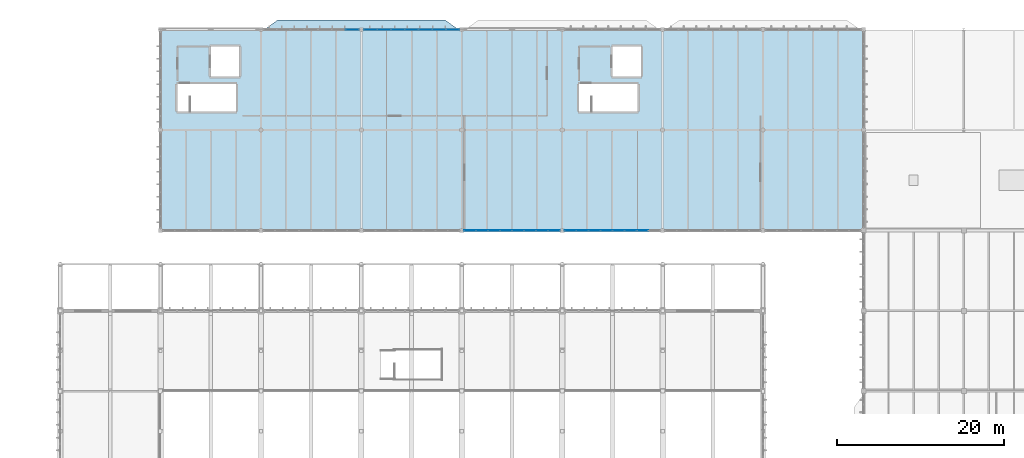
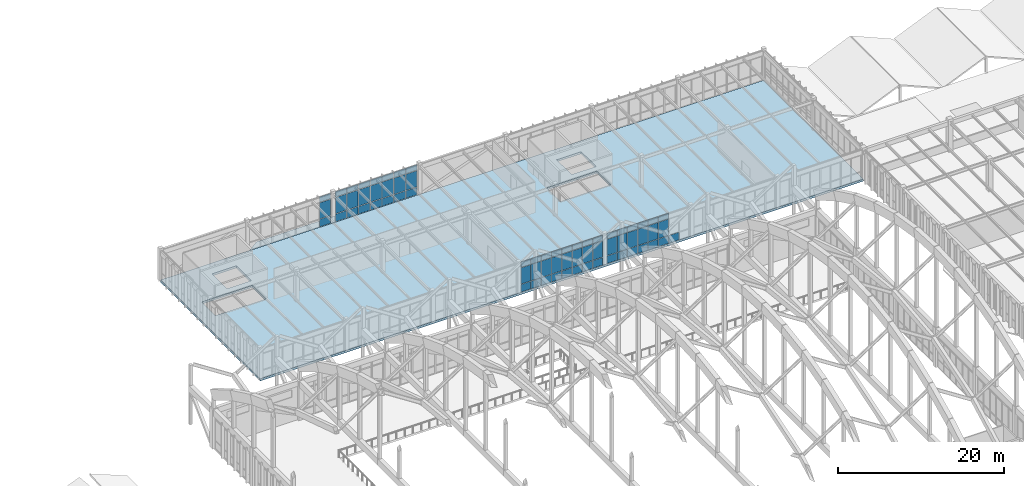
# One storey, part 197 of 236: 67 plates, 2 slabs, 4 elements without a shape of their own.
"""IFC4 building model written with IfcOpenShell, lengths in metres."""

from ifc_helpers import new_model, si_unit, direction, frame, origin, origin_2d, place, context, subcontext, project, spatial, polyline, rectangle, outline, extrude, material, layer, layer_set, type_object, element, aggregate, save


model = new_model("IFC4")

# Units and contexts
model_context = context("Model", 3, precision=1e-05, world=origin(), true_north=direction((0.0, 1.0)))
body_context = subcontext(model_context, "Body", "Model", "MODEL_VIEW")
ifc_project = project(units=[si_unit("LENGTHUNIT", "METRE"), si_unit("AREAUNIT", "SQUARE_METRE"), si_unit("VOLUMEUNIT", "CUBIC_METRE"), si_unit("PLANEANGLEUNIT", "RADIAN"), si_unit("MASSUNIT", "GRAM", prefix="KILO")], contexts=[model_context])

# Site, building, storey
site_placement = place(None, origin())
site = spatial("IfcSite", under=ifc_project, at=site_placement, CompositionType="ELEMENT")
building_placement = place(site_placement, origin())
building = spatial("IfcBuilding", under=site, at=building_placement, Name="Pandanus Reach Market Hall", CompositionType="ELEMENT")
storey_placement = place(building_placement, frame((0.0, 0.0, 5.39990234375)))
storey = spatial("IfcBuildingStorey", under=building, at=storey_placement, Name="L01", CompositionType="ELEMENT", Elevation=5.39990234375)

# Curtain wall, plates
ifc_material_1 = material(Name="Bronze anodised aluminium and low-E glass", Category="aluminium")
ifc_layer_1 = layer(ifc_material_1, 0.159912109375, Name="CW-39")
ifc_layer_set_1 = layer_set([ifc_layer_1], Name="Bronze anodised aluminium and low-E glass")
curtain_wall_type_1 = type_object("IfcCurtainWallType", Name="CW-39", PredefinedType="NOTDEFINED", material=ifc_layer_set_1)
curtain_wall_1_placement = place(storey_placement, origin())
curtain_wall_1 = element("IfcCurtainWall", 1, at=curtain_wall_1_placement, inside=storey, type_object=curtain_wall_type_1, Name="Glazed curtain wall CW-39 CW-0137", PredefinedType="NOTDEFINED")
ifc_material_2 = material(Name="Solar-control double glazing", Category="glass")
ifc_layer_2 = layer(ifc_material_2, 0.028076171875, Name="CW-P1")
ifc_layer_set_2 = layer_set([ifc_layer_2], Name="Solar-control double glazing")
plate_type = type_object("IfcPlateType", Name="CW-P1", PredefinedType="CURTAIN_PANEL", material=ifc_layer_set_2)
plate_1_placement = place(storey_placement, frame((82.912353515625, 120.0, 0.065185546875), z_axis=(0.0, 0.0, 1.0), x_axis=(1.0, 0.0, 0.0)))
plate_1 = element("IfcPlate", 2, at=plate_1_placement, type_object=plate_type, Name="CW-39 panel 7.1", PredefinedType="CURTAIN_PANEL", context=body_context, shape_type="SweptSolid", body=[
    extrude(rectangle(XDim=1.54541015625, YDim=0.028076171875, at=origin_2d()), origin(), (0.0, 0.0, 1.0), 1.1025390625),
])
plate_2_placement = place(storey_placement, frame((82.912353515625, 120.0, 1.232421875), z_axis=(0.0, 0.0, 1.0), x_axis=(1.0, 0.0, 0.0)))
plate_2 = element("IfcPlate", 3, at=plate_2_placement, type_object=plate_type, Name="CW-39 panel 7.2", PredefinedType="CURTAIN_PANEL", context=body_context, shape_type="SweptSolid", body=[
    extrude(rectangle(XDim=1.54541015625, YDim=0.028076171875, at=origin_2d()), origin(), (0.0, 0.0, 1.0), 2.385009765625),
])
plate_3_placement = place(storey_placement, frame((82.912353515625, 120.0, 3.6826171875), z_axis=(0.0, 0.0, 1.0), x_axis=(1.0, 0.0, 0.0)))
plate_3 = element("IfcPlate", 4, at=plate_3_placement, type_object=plate_type, Name="CW-39 panel 7.3", PredefinedType="CURTAIN_PANEL", context=body_context, shape_type="SweptSolid", body=[
    extrude(rectangle(XDim=1.54541015625, YDim=0.028076171875, at=origin_2d()), origin(), (0.0, 0.0, 1.0), 0.802490234375),
])
aggregate(curtain_wall_1, [plate_1, plate_2, plate_3])

curtain_wall_2_placement = place(storey_placement, origin())
curtain_wall_2 = element("IfcCurtainWall", 5, at=curtain_wall_2_placement, inside=storey, type_object=curtain_wall_type_1, Name="Glazed curtain wall CW-39 CW-0139", PredefinedType="NOTDEFINED")
plate_4_placement = place(storey_placement, frame((85.087646484375, 120.0, 0.065185546875), z_axis=(0.0, 0.0, 1.0), x_axis=(1.0, 0.0, 0.0)))
plate_4 = element("IfcPlate", 6, at=plate_4_placement, type_object=plate_type, Name="CW-39 panel 1.1", PredefinedType="CURTAIN_PANEL", context=body_context, shape_type="SweptSolid", body=[
    extrude(rectangle(XDim=1.54541015625, YDim=0.028076171875, at=origin_2d()), origin(), (0.0, 0.0, 1.0), 1.1025390625),
])
plate_5_placement = place(storey_placement, frame((85.087646484375, 120.0, 1.232421875), z_axis=(0.0, 0.0, 1.0), x_axis=(1.0, 0.0, 0.0)))
plate_5 = element("IfcPlate", 7, at=plate_5_placement, type_object=plate_type, Name="CW-39 panel 1.2", PredefinedType="CURTAIN_PANEL", context=body_context, shape_type="SweptSolid", body=[
    extrude(rectangle(XDim=1.54541015625, YDim=0.028076171875, at=origin_2d()), origin(), (0.0, 0.0, 1.0), 2.385009765625),
])
plate_6_placement = place(storey_placement, frame((85.087646484375, 120.0, 3.6826171875), z_axis=(0.0, 0.0, 1.0), x_axis=(1.0, 0.0, 0.0)))
plate_6 = element("IfcPlate", 8, at=plate_6_placement, type_object=plate_type, Name="CW-39 panel 1.3", PredefinedType="CURTAIN_PANEL", context=body_context, shape_type="SweptSolid", body=[
    extrude(rectangle(XDim=1.54541015625, YDim=0.028076171875, at=origin_2d()), origin(), (0.0, 0.0, 1.0), 0.802490234375),
])
plate_7_placement = place(storey_placement, frame((86.71435546875, 120.0, 0.065185546875), z_axis=(0.0, 0.0, 1.0), x_axis=(1.0, 0.0, 0.0)))
plate_7 = element("IfcPlate", 9, at=plate_7_placement, type_object=plate_type, Name="CW-39 panel 2.1", PredefinedType="CURTAIN_PANEL", context=body_context, shape_type="SweptSolid", body=[
    extrude(rectangle(XDim=1.577880859375, YDim=0.028076171875, at=origin_2d()), origin(), (0.0, 0.0, 1.0), 1.1025390625),
])
plate_8_placement = place(storey_placement, frame((86.71435546875, 120.0, 1.232421875), z_axis=(0.0, 0.0, 1.0), x_axis=(1.0, 0.0, 0.0)))
plate_8 = element("IfcPlate", 10, at=plate_8_placement, type_object=plate_type, Name="CW-39 panel 2.2", PredefinedType="CURTAIN_PANEL", context=body_context, shape_type="SweptSolid", body=[
    extrude(rectangle(XDim=1.577880859375, YDim=0.028076171875, at=origin_2d()), origin(), (0.0, 0.0, 1.0), 2.385009765625),
])
plate_9_placement = place(storey_placement, frame((86.71435546875, 120.0, 3.6826171875), z_axis=(0.0, 0.0, 1.0), x_axis=(1.0, 0.0, 0.0)))
plate_9 = element("IfcPlate", 11, at=plate_9_placement, type_object=plate_type, Name="CW-39 panel 2.3", PredefinedType="CURTAIN_PANEL", context=body_context, shape_type="SweptSolid", body=[
    extrude(rectangle(XDim=1.577880859375, YDim=0.028076171875, at=origin_2d()), origin(), (0.0, 0.0, 1.0), 0.802490234375),
])
plate_10_placement = place(storey_placement, frame((88.357177734375, 120.0, 0.065185546875), z_axis=(0.0, 0.0, 1.0), x_axis=(1.0, 0.0, 0.0)))
plate_10 = element("IfcPlate", 12, at=plate_10_placement, type_object=plate_type, Name="CW-39 panel 3.1", PredefinedType="CURTAIN_PANEL", context=body_context, shape_type="SweptSolid", body=[
    extrude(rectangle(XDim=1.577880859375, YDim=0.028076171875, at=origin_2d()), origin(), (0.0, 0.0, 1.0), 1.1025390625),
])
plate_11_placement = place(storey_placement, frame((88.357177734375, 120.0, 1.232421875), z_axis=(0.0, 0.0, 1.0), x_axis=(1.0, 0.0, 0.0)))
plate_11 = element("IfcPlate", 13, at=plate_11_placement, type_object=plate_type, Name="CW-39 panel 3.2", PredefinedType="CURTAIN_PANEL", context=body_context, shape_type="SweptSolid", body=[
    extrude(rectangle(XDim=1.577880859375, YDim=0.028076171875, at=origin_2d()), origin(), (0.0, 0.0, 1.0), 2.385009765625),
])
plate_12_placement = place(storey_placement, frame((88.357177734375, 120.0, 3.6826171875), z_axis=(0.0, 0.0, 1.0), x_axis=(1.0, 0.0, 0.0)))
plate_12 = element("IfcPlate", 14, at=plate_12_placement, type_object=plate_type, Name="CW-39 panel 3.3", PredefinedType="CURTAIN_PANEL", context=body_context, shape_type="SweptSolid", body=[
    extrude(rectangle(XDim=1.577880859375, YDim=0.028076171875, at=origin_2d()), origin(), (0.0, 0.0, 1.0), 0.802490234375),
])
plate_13_placement = place(storey_placement, frame((90.0, 120.0, 0.065185546875), z_axis=(0.0, 0.0, 1.0), x_axis=(1.0, 0.0, 0.0)))
plate_13 = element("IfcPlate", 15, at=plate_13_placement, type_object=plate_type, Name="CW-39 panel 4.1", PredefinedType="CURTAIN_PANEL", context=body_context, shape_type="SweptSolid", body=[
    extrude(rectangle(XDim=1.577880859375, YDim=0.028076171875, at=origin_2d()), origin(), (0.0, 0.0, 1.0), 1.1025390625),
])
plate_14_placement = place(storey_placement, frame((90.0, 120.0, 1.232421875), z_axis=(0.0, 0.0, 1.0), x_axis=(1.0, 0.0, 0.0)))
plate_14 = element("IfcPlate", 16, at=plate_14_placement, type_object=plate_type, Name="CW-39 panel 4.2", PredefinedType="CURTAIN_PANEL", context=body_context, shape_type="SweptSolid", body=[
    extrude(rectangle(XDim=1.577880859375, YDim=0.028076171875, at=origin_2d()), origin(), (0.0, 0.0, 1.0), 2.385009765625),
])
plate_15_placement = place(storey_placement, frame((90.0, 120.0, 3.6826171875), z_axis=(0.0, 0.0, 1.0), x_axis=(1.0, 0.0, 0.0)))
plate_15 = element("IfcPlate", 17, at=plate_15_placement, type_object=plate_type, Name="CW-39 panel 4.3", PredefinedType="CURTAIN_PANEL", context=body_context, shape_type="SweptSolid", body=[
    extrude(rectangle(XDim=1.577880859375, YDim=0.028076171875, at=origin_2d()), origin(), (0.0, 0.0, 1.0), 0.802490234375),
])
plate_16_placement = place(storey_placement, frame((91.642822265625, 120.0, 0.065185546875), z_axis=(0.0, 0.0, 1.0), x_axis=(1.0, 0.0, 0.0)))
plate_16 = element("IfcPlate", 18, at=plate_16_placement, type_object=plate_type, Name="CW-39 panel 5.1", PredefinedType="CURTAIN_PANEL", context=body_context, shape_type="SweptSolid", body=[
    extrude(rectangle(XDim=1.577880859375, YDim=0.028076171875, at=origin_2d()), origin(), (0.0, 0.0, 1.0), 1.1025390625),
])
plate_17_placement = place(storey_placement, frame((91.642822265625, 120.0, 1.232421875), z_axis=(0.0, 0.0, 1.0), x_axis=(1.0, 0.0, 0.0)))
plate_17 = element("IfcPlate", 19, at=plate_17_placement, type_object=plate_type, Name="CW-39 panel 5.2", PredefinedType="CURTAIN_PANEL", context=body_context, shape_type="SweptSolid", body=[
    extrude(rectangle(XDim=1.577880859375, YDim=0.028076171875, at=origin_2d()), origin(), (0.0, 0.0, 1.0), 2.385009765625),
])
plate_18_placement = place(storey_placement, frame((91.642822265625, 120.0, 3.6826171875), z_axis=(0.0, 0.0, 1.0), x_axis=(1.0, 0.0, 0.0)))
plate_18 = element("IfcPlate", 20, at=plate_18_placement, type_object=plate_type, Name="CW-39 panel 5.3", PredefinedType="CURTAIN_PANEL", context=body_context, shape_type="SweptSolid", body=[
    extrude(rectangle(XDim=1.577880859375, YDim=0.028076171875, at=origin_2d()), origin(), (0.0, 0.0, 1.0), 0.802490234375),
])
plate_19_placement = place(storey_placement, frame((93.28564453125, 120.0, 0.065185546875), z_axis=(0.0, 0.0, 1.0), x_axis=(1.0, 0.0, 0.0)))
plate_19 = element("IfcPlate", 21, at=plate_19_placement, type_object=plate_type, Name="CW-39 panel 6.1", PredefinedType="CURTAIN_PANEL", context=body_context, shape_type="SweptSolid", body=[
    extrude(rectangle(XDim=1.577880859375, YDim=0.028076171875, at=origin_2d()), origin(), (0.0, 0.0, 1.0), 1.1025390625),
])
plate_20_placement = place(storey_placement, frame((93.28564453125, 120.0, 1.232421875), z_axis=(0.0, 0.0, 1.0), x_axis=(1.0, 0.0, 0.0)))
plate_20 = element("IfcPlate", 22, at=plate_20_placement, type_object=plate_type, Name="CW-39 panel 6.2", PredefinedType="CURTAIN_PANEL", context=body_context, shape_type="SweptSolid", body=[
    extrude(rectangle(XDim=1.577880859375, YDim=0.028076171875, at=origin_2d()), origin(), (0.0, 0.0, 1.0), 2.385009765625),
])
plate_21_placement = place(storey_placement, frame((93.28564453125, 120.0, 3.6826171875), z_axis=(0.0, 0.0, 1.0), x_axis=(1.0, 0.0, 0.0)))
plate_21 = element("IfcPlate", 23, at=plate_21_placement, type_object=plate_type, Name="CW-39 panel 6.3", PredefinedType="CURTAIN_PANEL", context=body_context, shape_type="SweptSolid", body=[
    extrude(rectangle(XDim=1.577880859375, YDim=0.028076171875, at=origin_2d()), origin(), (0.0, 0.0, 1.0), 0.802490234375),
])
plate_22_placement = place(storey_placement, frame((94.912353515625, 120.0, 0.065185546875), z_axis=(0.0, 0.0, 1.0), x_axis=(1.0, 0.0, 0.0)))
plate_22 = element("IfcPlate", 24, at=plate_22_placement, type_object=plate_type, Name="CW-39 panel 7.1", PredefinedType="CURTAIN_PANEL", context=body_context, shape_type="SweptSolid", body=[
    extrude(rectangle(XDim=1.54541015625, YDim=0.028076171875, at=origin_2d()), origin(), (0.0, 0.0, 1.0), 1.1025390625),
])
plate_23_placement = place(storey_placement, frame((94.912353515625, 120.0, 1.232421875), z_axis=(0.0, 0.0, 1.0), x_axis=(1.0, 0.0, 0.0)))
plate_23 = element("IfcPlate", 25, at=plate_23_placement, type_object=plate_type, Name="CW-39 panel 7.2", PredefinedType="CURTAIN_PANEL", context=body_context, shape_type="SweptSolid", body=[
    extrude(rectangle(XDim=1.54541015625, YDim=0.028076171875, at=origin_2d()), origin(), (0.0, 0.0, 1.0), 2.385009765625),
])
plate_24_placement = place(storey_placement, frame((94.912353515625, 120.0, 3.6826171875), z_axis=(0.0, 0.0, 1.0), x_axis=(1.0, 0.0, 0.0)))
plate_24 = element("IfcPlate", 26, at=plate_24_placement, type_object=plate_type, Name="CW-39 panel 7.3", PredefinedType="CURTAIN_PANEL", context=body_context, shape_type="SweptSolid", body=[
    extrude(rectangle(XDim=1.54541015625, YDim=0.028076171875, at=origin_2d()), origin(), (0.0, 0.0, 1.0), 0.802490234375),
])
aggregate(curtain_wall_2, [plate_4, plate_5, plate_6, plate_7, plate_8, plate_9, plate_10, plate_11, plate_12, plate_13, plate_14, plate_15, plate_16, plate_17, plate_18, plate_19, plate_20, plate_21, plate_22, plate_23, plate_24])

ifc_layer_3 = layer(ifc_material_1, 0.159912109375, Name="CW-38")
ifc_layer_set_3 = layer_set([ifc_layer_3], Name="Bronze anodised aluminium and low-E glass")
curtain_wall_type_2 = type_object("IfcCurtainWallType", Name="CW-38", PredefinedType="NOTDEFINED", material=ifc_layer_set_3)
curtain_wall_3_placement = place(storey_placement, origin())
curtain_wall_3 = element("IfcCurtainWall", 27, at=curtain_wall_3_placement, inside=storey, type_object=curtain_wall_type_2, Name="Glazed curtain wall CW-38 CW-0140", PredefinedType="NOTDEFINED")
plate_25_placement = place(storey_placement, frame((96.985107421875, 96.0, 0.065185546875), z_axis=(0.0, 0.0, 1.0), x_axis=(1.0, 0.0, 0.0)))
plate_25 = element("IfcPlate", 28, at=plate_25_placement, type_object=plate_type, Name="CW-38 panel 1.1", PredefinedType="CURTAIN_PANEL", context=body_context, shape_type="SweptSolid", body=[
    extrude(rectangle(XDim=1.340087890625, YDim=0.028076171875, at=origin_2d()), origin(), (0.0, 0.0, 1.0), 1.1025390625),
])
plate_26_placement = place(storey_placement, frame((96.985107421875, 96.0, 1.232421875), z_axis=(0.0, 0.0, 1.0), x_axis=(1.0, 0.0, 0.0)))
plate_26 = element("IfcPlate", 29, at=plate_26_placement, type_object=plate_type, Name="CW-38 panel 1.2", PredefinedType="CURTAIN_PANEL", context=body_context, shape_type="SweptSolid", body=[
    extrude(rectangle(XDim=1.340087890625, YDim=0.028076171875, at=origin_2d()), origin(), (0.0, 0.0, 1.0), 2.385009765625),
])
plate_27_placement = place(storey_placement, frame((96.985107421875, 96.0, 3.6826171875), z_axis=(0.0, 0.0, 1.0), x_axis=(1.0, 0.0, 0.0)))
plate_27 = element("IfcPlate", 30, at=plate_27_placement, type_object=plate_type, Name="CW-38 panel 1.3", PredefinedType="CURTAIN_PANEL", context=body_context, shape_type="SweptSolid", body=[
    extrude(rectangle(XDim=1.340087890625, YDim=0.028076171875, at=origin_2d()), origin(), (0.0, 0.0, 1.0), 0.802490234375),
])
plate_28_placement = place(storey_placement, frame((98.40625, 96.0, 0.065185546875), z_axis=(0.0, 0.0, 1.0), x_axis=(1.0, 0.0, 0.0)))
plate_28 = element("IfcPlate", 31, at=plate_28_placement, type_object=plate_type, Name="CW-38 panel 2.1", PredefinedType="CURTAIN_PANEL", context=body_context, shape_type="SweptSolid", body=[
    extrude(rectangle(XDim=1.37255859375, YDim=0.028076171875, at=origin_2d()), origin(), (0.0, 0.0, 1.0), 1.1025390625),
])
plate_29_placement = place(storey_placement, frame((98.40625, 96.0, 1.232421875), z_axis=(0.0, 0.0, 1.0), x_axis=(1.0, 0.0, 0.0)))
plate_29 = element("IfcPlate", 32, at=plate_29_placement, type_object=plate_type, Name="CW-38 panel 2.2", PredefinedType="CURTAIN_PANEL", context=body_context, shape_type="SweptSolid", body=[
    extrude(rectangle(XDim=1.37255859375, YDim=0.028076171875, at=origin_2d()), origin(), (0.0, 0.0, 1.0), 2.385009765625),
])
plate_30_placement = place(storey_placement, frame((98.40625, 96.0, 3.6826171875), z_axis=(0.0, 0.0, 1.0), x_axis=(1.0, 0.0, 0.0)))
plate_30 = element("IfcPlate", 33, at=plate_30_placement, type_object=plate_type, Name="CW-38 panel 2.3", PredefinedType="CURTAIN_PANEL", context=body_context, shape_type="SweptSolid", body=[
    extrude(rectangle(XDim=1.37255859375, YDim=0.028076171875, at=origin_2d()), origin(), (0.0, 0.0, 1.0), 0.802490234375),
])
plate_31_placement = place(storey_placement, frame((99.84375, 96.0, 0.065185546875), z_axis=(0.0, 0.0, 1.0), x_axis=(1.0, 0.0, 0.0)))
plate_31 = element("IfcPlate", 34, at=plate_31_placement, type_object=plate_type, Name="CW-38 panel 3.1", PredefinedType="CURTAIN_PANEL", context=body_context, shape_type="SweptSolid", body=[
    extrude(rectangle(XDim=1.37255859375, YDim=0.028076171875, at=origin_2d()), origin(), (0.0, 0.0, 1.0), 1.1025390625),
])
plate_32_placement = place(storey_placement, frame((99.84375, 96.0, 1.232421875), z_axis=(0.0, 0.0, 1.0), x_axis=(1.0, 0.0, 0.0)))
plate_32 = element("IfcPlate", 35, at=plate_32_placement, type_object=plate_type, Name="CW-38 panel 3.2", PredefinedType="CURTAIN_PANEL", context=body_context, shape_type="SweptSolid", body=[
    extrude(rectangle(XDim=1.37255859375, YDim=0.028076171875, at=origin_2d()), origin(), (0.0, 0.0, 1.0), 2.385009765625),
])
plate_33_placement = place(storey_placement, frame((99.84375, 96.0, 3.6826171875), z_axis=(0.0, 0.0, 1.0), x_axis=(1.0, 0.0, 0.0)))
plate_33 = element("IfcPlate", 36, at=plate_33_placement, type_object=plate_type, Name="CW-38 panel 3.3", PredefinedType="CURTAIN_PANEL", context=body_context, shape_type="SweptSolid", body=[
    extrude(rectangle(XDim=1.37255859375, YDim=0.028076171875, at=origin_2d()), origin(), (0.0, 0.0, 1.0), 0.802490234375),
])
plate_34_placement = place(storey_placement, frame((101.28125, 96.0, 0.065185546875), z_axis=(0.0, 0.0, 1.0), x_axis=(1.0, 0.0, 0.0)))
plate_34 = element("IfcPlate", 37, at=plate_34_placement, type_object=plate_type, Name="CW-38 panel 4.1", PredefinedType="CURTAIN_PANEL", context=body_context, shape_type="SweptSolid", body=[
    extrude(rectangle(XDim=1.37255859375, YDim=0.028076171875, at=origin_2d()), origin(), (0.0, 0.0, 1.0), 1.1025390625),
])
plate_35_placement = place(storey_placement, frame((101.28125, 96.0, 1.232421875), z_axis=(0.0, 0.0, 1.0), x_axis=(1.0, 0.0, 0.0)))
plate_35 = element("IfcPlate", 38, at=plate_35_placement, type_object=plate_type, Name="CW-38 panel 4.2", PredefinedType="CURTAIN_PANEL", context=body_context, shape_type="SweptSolid", body=[
    extrude(rectangle(XDim=1.37255859375, YDim=0.028076171875, at=origin_2d()), origin(), (0.0, 0.0, 1.0), 2.385009765625),
])
plate_36_placement = place(storey_placement, frame((101.28125, 96.0, 3.6826171875), z_axis=(0.0, 0.0, 1.0), x_axis=(1.0, 0.0, 0.0)))
plate_36 = element("IfcPlate", 39, at=plate_36_placement, type_object=plate_type, Name="CW-38 panel 4.3", PredefinedType="CURTAIN_PANEL", context=body_context, shape_type="SweptSolid", body=[
    extrude(rectangle(XDim=1.37255859375, YDim=0.028076171875, at=origin_2d()), origin(), (0.0, 0.0, 1.0), 0.802490234375),
])
plate_37_placement = place(storey_placement, frame((102.71875, 96.0, 0.065185546875), z_axis=(0.0, 0.0, 1.0), x_axis=(1.0, 0.0, 0.0)))
plate_37 = element("IfcPlate", 40, at=plate_37_placement, type_object=plate_type, Name="CW-38 panel 5.1", PredefinedType="CURTAIN_PANEL", context=body_context, shape_type="SweptSolid", body=[
    extrude(rectangle(XDim=1.37255859375, YDim=0.028076171875, at=origin_2d()), origin(), (0.0, 0.0, 1.0), 1.1025390625),
])
plate_38_placement = place(storey_placement, frame((102.71875, 96.0, 1.232421875), z_axis=(0.0, 0.0, 1.0), x_axis=(1.0, 0.0, 0.0)))
plate_38 = element("IfcPlate", 41, at=plate_38_placement, type_object=plate_type, Name="CW-38 panel 5.2", PredefinedType="CURTAIN_PANEL", context=body_context, shape_type="SweptSolid", body=[
    extrude(rectangle(XDim=1.37255859375, YDim=0.028076171875, at=origin_2d()), origin(), (0.0, 0.0, 1.0), 2.385009765625),
])
plate_39_placement = place(storey_placement, frame((102.71875, 96.0, 3.6826171875), z_axis=(0.0, 0.0, 1.0), x_axis=(1.0, 0.0, 0.0)))
plate_39 = element("IfcPlate", 42, at=plate_39_placement, type_object=plate_type, Name="CW-38 panel 5.3", PredefinedType="CURTAIN_PANEL", context=body_context, shape_type="SweptSolid", body=[
    extrude(rectangle(XDim=1.37255859375, YDim=0.028076171875, at=origin_2d()), origin(), (0.0, 0.0, 1.0), 0.802490234375),
])
plate_40_placement = place(storey_placement, frame((104.15625, 96.0, 0.065185546875), z_axis=(0.0, 0.0, 1.0), x_axis=(1.0, 0.0, 0.0)))
plate_40 = element("IfcPlate", 43, at=plate_40_placement, type_object=plate_type, Name="CW-38 panel 6.1", PredefinedType="CURTAIN_PANEL", context=body_context, shape_type="SweptSolid", body=[
    extrude(rectangle(XDim=1.37255859375, YDim=0.028076171875, at=origin_2d()), origin(), (0.0, 0.0, 1.0), 1.1025390625),
])
plate_41_placement = place(storey_placement, frame((104.15625, 96.0, 1.232421875), z_axis=(0.0, 0.0, 1.0), x_axis=(1.0, 0.0, 0.0)))
plate_41 = element("IfcPlate", 44, at=plate_41_placement, type_object=plate_type, Name="CW-38 panel 6.2", PredefinedType="CURTAIN_PANEL", context=body_context, shape_type="SweptSolid", body=[
    extrude(rectangle(XDim=1.37255859375, YDim=0.028076171875, at=origin_2d()), origin(), (0.0, 0.0, 1.0), 2.385009765625),
])
plate_42_placement = place(storey_placement, frame((104.15625, 96.0, 3.6826171875), z_axis=(0.0, 0.0, 1.0), x_axis=(1.0, 0.0, 0.0)))
plate_42 = element("IfcPlate", 45, at=plate_42_placement, type_object=plate_type, Name="CW-38 panel 6.3", PredefinedType="CURTAIN_PANEL", context=body_context, shape_type="SweptSolid", body=[
    extrude(rectangle(XDim=1.37255859375, YDim=0.028076171875, at=origin_2d()), origin(), (0.0, 0.0, 1.0), 0.802490234375),
])
plate_43_placement = place(storey_placement, frame((105.59375, 96.0, 0.065185546875), z_axis=(0.0, 0.0, 1.0), x_axis=(1.0, 0.0, 0.0)))
plate_43 = element("IfcPlate", 46, at=plate_43_placement, type_object=plate_type, Name="CW-38 panel 7.1", PredefinedType="CURTAIN_PANEL", context=body_context, shape_type="SweptSolid", body=[
    extrude(rectangle(XDim=1.37255859375, YDim=0.028076171875, at=origin_2d()), origin(), (0.0, 0.0, 1.0), 1.1025390625),
])
plate_44_placement = place(storey_placement, frame((105.59375, 96.0, 1.232421875), z_axis=(0.0, 0.0, 1.0), x_axis=(1.0, 0.0, 0.0)))
plate_44 = element("IfcPlate", 47, at=plate_44_placement, type_object=plate_type, Name="CW-38 panel 7.2", PredefinedType="CURTAIN_PANEL", context=body_context, shape_type="SweptSolid", body=[
    extrude(rectangle(XDim=1.37255859375, YDim=0.028076171875, at=origin_2d()), origin(), (0.0, 0.0, 1.0), 2.385009765625),
])
plate_45_placement = place(storey_placement, frame((105.59375, 96.0, 3.6826171875), z_axis=(0.0, 0.0, 1.0), x_axis=(1.0, 0.0, 0.0)))
plate_45 = element("IfcPlate", 48, at=plate_45_placement, type_object=plate_type, Name="CW-38 panel 7.3", PredefinedType="CURTAIN_PANEL", context=body_context, shape_type="SweptSolid", body=[
    extrude(rectangle(XDim=1.37255859375, YDim=0.028076171875, at=origin_2d()), origin(), (0.0, 0.0, 1.0), 0.802490234375),
])
plate_46_placement = place(storey_placement, frame((107.014892578125, 96.0, 0.065185546875), z_axis=(0.0, 0.0, 1.0), x_axis=(1.0, 0.0, 0.0)))
plate_46 = element("IfcPlate", 49, at=plate_46_placement, type_object=plate_type, Name="CW-38 panel 8.1", PredefinedType="CURTAIN_PANEL", context=body_context, shape_type="SweptSolid", body=[
    extrude(rectangle(XDim=1.340087890625, YDim=0.028076171875, at=origin_2d()), origin(), (0.0, 0.0, 1.0), 1.1025390625),
])
plate_47_placement = place(storey_placement, frame((107.014892578125, 96.0, 1.232421875), z_axis=(0.0, 0.0, 1.0), x_axis=(1.0, 0.0, 0.0)))
plate_47 = element("IfcPlate", 50, at=plate_47_placement, type_object=plate_type, Name="CW-38 panel 8.2", PredefinedType="CURTAIN_PANEL", context=body_context, shape_type="SweptSolid", body=[
    extrude(rectangle(XDim=1.340087890625, YDim=0.028076171875, at=origin_2d()), origin(), (0.0, 0.0, 1.0), 2.385009765625),
])
plate_48_placement = place(storey_placement, frame((107.014892578125, 96.0, 3.6826171875), z_axis=(0.0, 0.0, 1.0), x_axis=(1.0, 0.0, 0.0)))
plate_48 = element("IfcPlate", 51, at=plate_48_placement, type_object=plate_type, Name="CW-38 panel 8.3", PredefinedType="CURTAIN_PANEL", context=body_context, shape_type="SweptSolid", body=[
    extrude(rectangle(XDim=1.340087890625, YDim=0.028076171875, at=origin_2d()), origin(), (0.0, 0.0, 1.0), 0.802490234375),
])
aggregate(curtain_wall_3, [plate_25, plate_26, plate_27, plate_28, plate_29, plate_30, plate_31, plate_32, plate_33, plate_34, plate_35, plate_36, plate_37, plate_38, plate_39, plate_40, plate_41, plate_42, plate_43, plate_44, plate_45, plate_46, plate_47, plate_48])

curtain_wall_4_placement = place(storey_placement, origin())
curtain_wall_4 = element("IfcCurtainWall", 52, at=curtain_wall_4_placement, inside=storey, type_object=curtain_wall_type_2, Name="Glazed curtain wall CW-38 CW-0141", PredefinedType="NOTDEFINED")
plate_49_placement = place(storey_placement, frame((108.985107421875, 96.0, 0.065185546875), z_axis=(0.0, 0.0, 1.0), x_axis=(1.0, 0.0, 0.0)))
plate_49 = element("IfcPlate", 53, at=plate_49_placement, type_object=plate_type, Name="CW-38 panel 1.1", PredefinedType="CURTAIN_PANEL", context=body_context, shape_type="SweptSolid", body=[
    extrude(rectangle(XDim=1.340087890625, YDim=0.028076171875, at=origin_2d()), origin(), (0.0, 0.0, 1.0), 1.1025390625),
])
plate_50_placement = place(storey_placement, frame((108.985107421875, 96.0, 1.232421875), z_axis=(0.0, 0.0, 1.0), x_axis=(1.0, 0.0, 0.0)))
plate_50 = element("IfcPlate", 54, at=plate_50_placement, type_object=plate_type, Name="CW-38 panel 1.2", PredefinedType="CURTAIN_PANEL", context=body_context, shape_type="SweptSolid", body=[
    extrude(rectangle(XDim=1.340087890625, YDim=0.028076171875, at=origin_2d()), origin(), (0.0, 0.0, 1.0), 2.385009765625),
])
plate_51_placement = place(storey_placement, frame((108.985107421875, 96.0, 3.6826171875), z_axis=(0.0, 0.0, 1.0), x_axis=(1.0, 0.0, 0.0)))
plate_51 = element("IfcPlate", 55, at=plate_51_placement, type_object=plate_type, Name="CW-38 panel 1.3", PredefinedType="CURTAIN_PANEL", context=body_context, shape_type="SweptSolid", body=[
    extrude(rectangle(XDim=1.340087890625, YDim=0.028076171875, at=origin_2d()), origin(), (0.0, 0.0, 1.0), 0.802490234375),
])
plate_52_placement = place(storey_placement, frame((110.40625, 96.0, 0.065185546875), z_axis=(0.0, 0.0, 1.0), x_axis=(1.0, 0.0, 0.0)))
plate_52 = element("IfcPlate", 56, at=plate_52_placement, type_object=plate_type, Name="CW-38 panel 2.1", PredefinedType="CURTAIN_PANEL", context=body_context, shape_type="SweptSolid", body=[
    extrude(rectangle(XDim=1.37255859375, YDim=0.028076171875, at=origin_2d()), origin(), (0.0, 0.0, 1.0), 1.1025390625),
])
plate_53_placement = place(storey_placement, frame((110.40625, 96.0, 1.232421875), z_axis=(0.0, 0.0, 1.0), x_axis=(1.0, 0.0, 0.0)))
plate_53 = element("IfcPlate", 57, at=plate_53_placement, type_object=plate_type, Name="CW-38 panel 2.2", PredefinedType="CURTAIN_PANEL", context=body_context, shape_type="SweptSolid", body=[
    extrude(rectangle(XDim=1.37255859375, YDim=0.028076171875, at=origin_2d()), origin(), (0.0, 0.0, 1.0), 2.385009765625),
])
plate_54_placement = place(storey_placement, frame((110.40625, 96.0, 3.6826171875), z_axis=(0.0, 0.0, 1.0), x_axis=(1.0, 0.0, 0.0)))
plate_54 = element("IfcPlate", 58, at=plate_54_placement, type_object=plate_type, Name="CW-38 panel 2.3", PredefinedType="CURTAIN_PANEL", context=body_context, shape_type="SweptSolid", body=[
    extrude(rectangle(XDim=1.37255859375, YDim=0.028076171875, at=origin_2d()), origin(), (0.0, 0.0, 1.0), 0.802490234375),
])
plate_55_placement = place(storey_placement, frame((111.84375, 96.0, 0.065185546875), z_axis=(0.0, 0.0, 1.0), x_axis=(1.0, 0.0, 0.0)))
plate_55 = element("IfcPlate", 59, at=plate_55_placement, type_object=plate_type, Name="CW-38 panel 3.1", PredefinedType="CURTAIN_PANEL", context=body_context, shape_type="SweptSolid", body=[
    extrude(rectangle(XDim=1.37255859375, YDim=0.028076171875, at=origin_2d()), origin(), (0.0, 0.0, 1.0), 1.1025390625),
])
plate_56_placement = place(storey_placement, frame((111.84375, 96.0, 1.232421875), z_axis=(0.0, 0.0, 1.0), x_axis=(1.0, 0.0, 0.0)))
plate_56 = element("IfcPlate", 60, at=plate_56_placement, type_object=plate_type, Name="CW-38 panel 3.2", PredefinedType="CURTAIN_PANEL", context=body_context, shape_type="SweptSolid", body=[
    extrude(rectangle(XDim=1.37255859375, YDim=0.028076171875, at=origin_2d()), origin(), (0.0, 0.0, 1.0), 2.385009765625),
])
plate_57_placement = place(storey_placement, frame((111.84375, 96.0, 3.6826171875), z_axis=(0.0, 0.0, 1.0), x_axis=(1.0, 0.0, 0.0)))
plate_57 = element("IfcPlate", 61, at=plate_57_placement, type_object=plate_type, Name="CW-38 panel 3.3", PredefinedType="CURTAIN_PANEL", context=body_context, shape_type="SweptSolid", body=[
    extrude(rectangle(XDim=1.37255859375, YDim=0.028076171875, at=origin_2d()), origin(), (0.0, 0.0, 1.0), 0.802490234375),
])
plate_58_placement = place(storey_placement, frame((113.28125, 96.0, 0.065185546875), z_axis=(0.0, 0.0, 1.0), x_axis=(1.0, 0.0, 0.0)))
plate_58 = element("IfcPlate", 62, at=plate_58_placement, type_object=plate_type, Name="CW-38 panel 4.1", PredefinedType="CURTAIN_PANEL", context=body_context, shape_type="SweptSolid", body=[
    extrude(rectangle(XDim=1.37255859375, YDim=0.028076171875, at=origin_2d()), origin(), (0.0, 0.0, 1.0), 1.1025390625),
])
plate_59_placement = place(storey_placement, frame((113.28125, 96.0, 1.232421875), z_axis=(0.0, 0.0, 1.0), x_axis=(1.0, 0.0, 0.0)))
plate_59 = element("IfcPlate", 63, at=plate_59_placement, type_object=plate_type, Name="CW-38 panel 4.2", PredefinedType="CURTAIN_PANEL", context=body_context, shape_type="SweptSolid", body=[
    extrude(rectangle(XDim=1.37255859375, YDim=0.028076171875, at=origin_2d()), origin(), (0.0, 0.0, 1.0), 2.385009765625),
])
plate_60_placement = place(storey_placement, frame((113.28125, 96.0, 3.6826171875), z_axis=(0.0, 0.0, 1.0), x_axis=(1.0, 0.0, 0.0)))
plate_60 = element("IfcPlate", 64, at=plate_60_placement, type_object=plate_type, Name="CW-38 panel 4.3", PredefinedType="CURTAIN_PANEL", context=body_context, shape_type="SweptSolid", body=[
    extrude(rectangle(XDim=1.37255859375, YDim=0.028076171875, at=origin_2d()), origin(), (0.0, 0.0, 1.0), 0.802490234375),
])
plate_61_placement = place(storey_placement, frame((114.71875, 96.0, 0.065185546875), z_axis=(0.0, 0.0, 1.0), x_axis=(1.0, 0.0, 0.0)))
plate_61 = element("IfcPlate", 65, at=plate_61_placement, type_object=plate_type, Name="CW-38 panel 5.1", PredefinedType="CURTAIN_PANEL", context=body_context, shape_type="SweptSolid", body=[
    extrude(rectangle(XDim=1.37255859375, YDim=0.028076171875, at=origin_2d()), origin(), (0.0, 0.0, 1.0), 1.1025390625),
])
plate_62_placement = place(storey_placement, frame((114.71875, 96.0, 1.232421875), z_axis=(0.0, 0.0, 1.0), x_axis=(1.0, 0.0, 0.0)))
plate_62 = element("IfcPlate", 66, at=plate_62_placement, type_object=plate_type, Name="CW-38 panel 5.2", PredefinedType="CURTAIN_PANEL", context=body_context, shape_type="SweptSolid", body=[
    extrude(rectangle(XDim=1.37255859375, YDim=0.028076171875, at=origin_2d()), origin(), (0.0, 0.0, 1.0), 2.385009765625),
])
plate_63_placement = place(storey_placement, frame((114.71875, 96.0, 3.6826171875), z_axis=(0.0, 0.0, 1.0), x_axis=(1.0, 0.0, 0.0)))
plate_63 = element("IfcPlate", 67, at=plate_63_placement, type_object=plate_type, Name="CW-38 panel 5.3", PredefinedType="CURTAIN_PANEL", context=body_context, shape_type="SweptSolid", body=[
    extrude(rectangle(XDim=1.37255859375, YDim=0.028076171875, at=origin_2d()), origin(), (0.0, 0.0, 1.0), 0.802490234375),
])
plate_64_placement = place(storey_placement, frame((116.15625, 96.0, 0.065185546875), z_axis=(0.0, 0.0, 1.0), x_axis=(1.0, 0.0, 0.0)))
plate_64 = element("IfcPlate", 68, at=plate_64_placement, type_object=plate_type, Name="CW-38 panel 6.1", PredefinedType="CURTAIN_PANEL", context=body_context, shape_type="SweptSolid", body=[
    extrude(rectangle(XDim=1.37255859375, YDim=0.028076171875, at=origin_2d()), origin(), (0.0, 0.0, 1.0), 1.1025390625),
])
plate_65_placement = place(storey_placement, frame((116.15625, 96.0, 1.232421875), z_axis=(0.0, 0.0, 1.0), x_axis=(1.0, 0.0, 0.0)))
plate_65 = element("IfcPlate", 69, at=plate_65_placement, type_object=plate_type, Name="CW-38 panel 6.2", PredefinedType="CURTAIN_PANEL", context=body_context, shape_type="SweptSolid", body=[
    extrude(rectangle(XDim=1.37255859375, YDim=0.028076171875, at=origin_2d()), origin(), (0.0, 0.0, 1.0), 2.385009765625),
])
plate_66_placement = place(storey_placement, frame((116.15625, 96.0, 3.6826171875), z_axis=(0.0, 0.0, 1.0), x_axis=(1.0, 0.0, 0.0)))
plate_66 = element("IfcPlate", 70, at=plate_66_placement, type_object=plate_type, Name="CW-38 panel 6.3", PredefinedType="CURTAIN_PANEL", context=body_context, shape_type="SweptSolid", body=[
    extrude(rectangle(XDim=1.37255859375, YDim=0.028076171875, at=origin_2d()), origin(), (0.0, 0.0, 1.0), 0.802490234375),
])
plate_67_placement = place(storey_placement, frame((117.59375, 96.0, 0.065185546875), z_axis=(0.0, 0.0, 1.0), x_axis=(1.0, 0.0, 0.0)))
plate_67 = element("IfcPlate", 71, at=plate_67_placement, type_object=plate_type, Name="CW-38 panel 7.1", PredefinedType="CURTAIN_PANEL", context=body_context, shape_type="SweptSolid", body=[
    extrude(rectangle(XDim=1.37255859375, YDim=0.028076171875, at=origin_2d()), origin(), (0.0, 0.0, 1.0), 1.1025390625),
])
aggregate(curtain_wall_4, [plate_49, plate_50, plate_51, plate_52, plate_53, plate_54, plate_55, plate_56, plate_57, plate_58, plate_59, plate_60, plate_61, plate_62, plate_63, plate_64, plate_65, plate_66, plate_67])

# Slabs
ifc_material_3 = material(Name="Concrete N50 (50 MPa)", Category="concrete")
ifc_layer_4 = layer(ifc_material_3, 0.179931640625, Name="RF-CNP-180")
ifc_layer_set_4 = layer_set([ifc_layer_4], Name="Concrete N50 (50 MPa)")
slab_type_1 = type_object("IfcSlabType", Name="RF-CNP-180", PredefinedType="ROOF", material=ifc_layer_set_4)
slab_1_placement = place(storey_placement, frame((0.0, 0.0, -0.179931640625)))
element("IfcSlab", 72, at=slab_1_placement, inside=storey, type_object=slab_type_1, Name="Sculpted concrete brise-soleil hood 24", PredefinedType="ROOF", context=body_context, shape_type="SweptSolid", body=[
    extrude(outline(polyline([(72.39990234375, 120.0), (95.60009765625, 120.0), (94.0, 121.14990234375), (74.0, 121.14990234375), (72.39990234375, 120.0)])), origin(), (0.0, 0.0, 1.0), 0.179931640625),
])
ifc_material_4 = material(Name="Concrete N40 (40 MPa)", Category="concrete")
ifc_layer_5 = layer(ifc_material_4, 0.31494140625, Name="SL-L01-V5")
ifc_layer_set_5 = layer_set([ifc_layer_5], Name="Concrete N40 (40 MPa)")
slab_type_2 = type_object("IfcSlabType", Name="SL-L01-V5", PredefinedType="FLOOR", material=ifc_layer_set_5)
slab_2_placement = place(storey_placement, frame((0.0, 0.0, -0.31494140625)))
element("IfcSlab", 73, at=slab_2_placement, inside=storey, type_object=slab_type_2, Name="Floor slab SL-L01-V5", PredefinedType="FLOOR", context=body_context, shape_type="SweptSolid", body=[
    extrude(outline(polyline([(60.0, 96.0), (144.0, 96.0), (144.0, 120.0), (60.0, 120.0), (60.0, 96.0)]), holes=[polyline([(62.0, 110.199951171875), (69.02001953125, 110.199951171875), (69.02001953125, 113.5), (62.0, 113.5), (62.0, 110.199951171875)]), polyline([(66.0, 114.39990234375), (69.39990234375, 114.39990234375), (69.39990234375, 118.0), (66.0, 118.0), (66.0, 114.39990234375)]), polyline([(110.0, 110.199951171875), (117.02001953125, 110.199951171875), (117.02001953125, 113.5), (110.0, 113.5), (110.0, 110.199951171875)]), polyline([(114.0, 114.39990234375), (117.39990234375, 114.39990234375), (117.39990234375, 118.0), (114.0, 118.0), (114.0, 114.39990234375)])]), origin(), (0.0, 0.0, 1.0), 0.31494140625),
])

save(model, "model.ifc")
